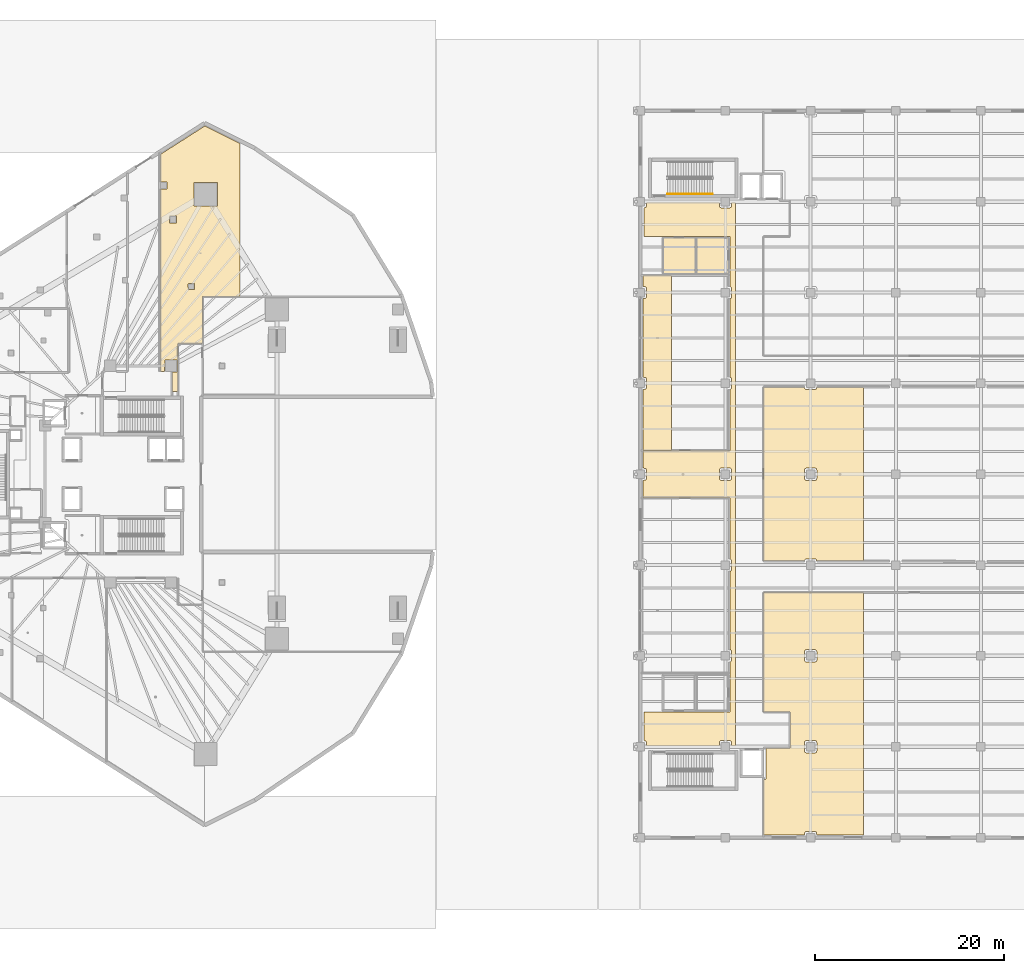
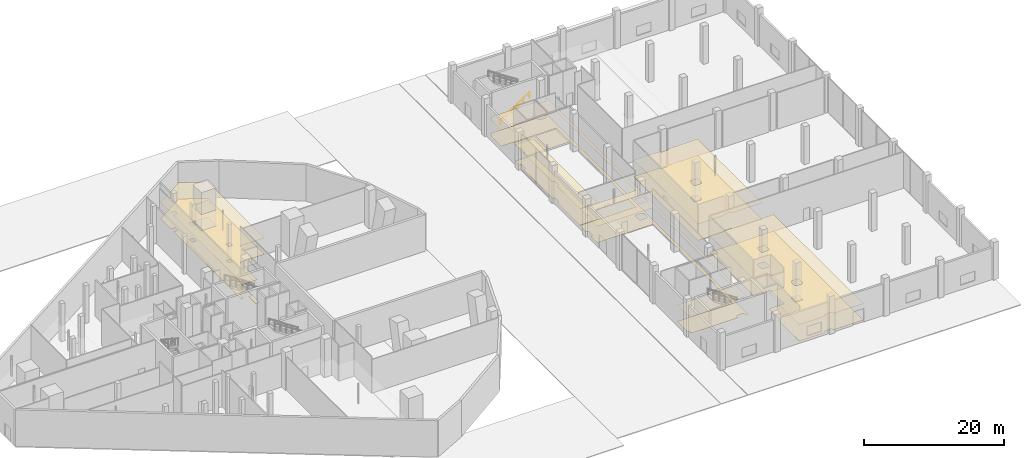
# One storey, part 44 of 45: 12 coverings, 1 railing.
"""IFC4 building model written with IfcOpenShell, lengths in metres."""

from ifc_helpers import new_model, si_unit, direction, frame, origin, origin_2d, place, context, subcontext, project, spatial, polyline, circle, outline, extrude, material, layer, layer_set, type_object, element, save


model = new_model("IFC4")

# Units and contexts
model_context = context("Model", 3, precision=1e-05, world=origin(), true_north=direction((0.0, 1.0)))
body_context = subcontext(model_context, "Body", "Model", "MODEL_VIEW")
ifc_project = project(units=[si_unit("LENGTHUNIT", "METRE"), si_unit("AREAUNIT", "SQUARE_METRE"), si_unit("VOLUMEUNIT", "CUBIC_METRE"), si_unit("PLANEANGLEUNIT", "RADIAN"), si_unit("MASSUNIT", "GRAM", prefix="KILO")], contexts=[model_context])

# Site, building, storey
site_placement = place(None, origin())
site = spatial("IfcSite", under=ifc_project, at=site_placement, CompositionType="ELEMENT")
building_placement = place(site_placement, origin())
building = spatial("IfcBuilding", under=site, at=building_placement, Name="Qorvath Tower", CompositionType="ELEMENT")
storey_placement = place(building_placement, origin())
storey = spatial("IfcBuildingStorey", under=building, at=storey_placement, Name="L00", CompositionType="ELEMENT", Elevation=0.0)

# Coverings
ifc_material_1 = material(Name="Acoustic mineral fibre ceiling tile", Category="gypsum")
ifc_layer_1 = layer(ifc_material_1, 0.030029296875)
ifc_layer_set_1 = layer_set([ifc_layer_1], Name="COV-CEIL")
covering_type_1 = type_object("IfcCoveringType", Name="COV-CEIL", PredefinedType="CEILING", material=ifc_layer_set_1)
covering_1_placement = place(storey_placement, frame((0.0, 0.0, 2.85009765625)))
element("IfcCovering", 1, at=covering_1_placement, inside=storey, type_object=covering_type_1, Name="L00 Suspended Acoustic Ceiling 011", PredefinedType="CEILING", context=body_context, shape_type="SweptSolid", body=[
    extrude(outline(polyline([(-18.294921875, 30.114990234375), (-18.294921875, 10.860595703125), (-17.860107421875, 10.8505859375), (-17.842529296875, 12.092529296875), (-16.5576171875, 12.092529296875), (-16.5400390625, 10.85009765625), (-16.60009765625, 10.7900390625), (-17.0869140625, 10.7900390625), (-17.0869140625, 8.75), (-16.462890625, 8.75), (-16.46142578125, 13.8115234375), (-13.859130859375, 13.81298828125), (-13.861572265625, 18.761474609375), (-9.87646484375, 18.76171875), (-9.87646484375, 34.929931640625), (-13.619873046875, 36.801513671875), (-18.294921875, 33.8134765625), (-18.294921875, 30.885009765625), (-17.632568359375, 30.867431640625), (-17.614990234375, 30.175048828125), (-17.675048828125, 30.114990234375), (-18.294921875, 30.114990234375)]), holes=[polyline([(-14.762451171875, 30.810546875), (-12.277587890625, 30.810546875), (-12.277587890625, 28.32568359375), (-14.762451171875, 28.32568359375), (-14.762451171875, 30.810546875)]), polyline([(-15.381103515625, 20.093017578125), (-15.321044921875, 20.153076171875), (-14.728759765625, 20.135498046875), (-14.728759765625, 19.500732421875), (-15.363525390625, 19.500732421875), (-15.381103515625, 20.093017578125)]), polyline([(-17.3486328125, 27.296630859375), (-16.61376953125, 27.296630859375), (-16.61376953125, 26.561767578125), (-17.3486328125, 26.561767578125), (-17.3486328125, 27.296630859375)])]), origin(), (0.0, 0.0, 1.0), 0.030029296875),
])
covering_2_placement = place(storey_placement, frame((0.0, 0.0, 2.85009765625)))
element("IfcCovering", 2, at=covering_2_placement, inside=storey, type_object=covering_type_1, Name="L00 Suspended Acoustic Ceiling 005", PredefinedType="CEILING", context=body_context, shape_type="SweptSolid", body=[
    extrude(outline(polyline([(42.0546875, -19.65185546875), (41.99609375, -19.793212890625), (41.905029296875, -19.83251953125), (41.903564453125, -25.12353515625), (32.804931640625, -25.125), (32.804931640625, -28.146240234375), (32.99609375, -28.206787109375), (33.054931640625, -28.35009765625), (33.054931640625, -28.699951171875), (40.7451171875, -28.699951171875), (40.7451171875, -28.35009765625), (40.806640625, -28.203857421875), (40.949951171875, -28.14501953125), (41.85009765625, -28.14501953125), (41.993408203125, -28.203857421875), (42.0546875, -28.34814453125), (42.054931640625, -28.699951171875), (42.455078125, -28.69873046875), (42.455078125, 28.70849609375), (42.054931640625, 28.7099609375), (42.0546875, 28.34814453125), (41.993408203125, 28.203857421875), (41.85009765625, 28.14501953125), (40.949951171875, 28.14501953125), (40.806640625, 28.203857421875), (40.7451171875, 28.35009765625), (40.7451171875, 28.7099609375), (33.054931640625, 28.7099609375), (33.054931640625, 28.35009765625), (32.99609375, 28.206787109375), (32.804931640625, 28.146240234375), (32.804931640625, 25.125), (41.905029296875, 25.1201171875), (41.905029296875, 19.83251953125), (41.99609375, 19.793212890625), (42.054931640625, 19.64990234375), (42.054931640625, 18.75), (41.99609375, 18.606689453125), (41.905029296875, 18.5673828125), (41.905029296875, 10.232666015625), (41.99609375, 10.193359375), (42.054931640625, 10.050048828125), (42.054931640625, 9.14990234375), (41.99609375, 9.006591796875), (41.905029296875, 8.96728515625), (41.905029296875, 2.5), (32.68505859375, 2.4951171875), (32.68505859375, 0.655029296875), (32.993408203125, 0.595947265625), (33.0546875, 0.451904296875), (33.054931640625, -0.449951171875), (32.993408203125, -0.595947265625), (32.68505859375, -0.655029296875), (32.68505859375, -2.4951171875), (41.903564453125, -2.49658203125), (41.905029296875, -8.96728515625), (41.99609375, -9.006591796875), (42.054931640625, -9.14990234375), (42.054931640625, -10.050048828125), (41.99609375, -10.193359375), (41.905029296875, -10.232666015625), (41.905029296875, -18.5673828125), (41.99609375, -18.606689453125), (42.054931640625, -18.75), (42.0546875, -19.65185546875)]), holes=[polyline([(40.803955078125, -0.59326171875), (40.7451171875, -0.449951171875), (40.7451171875, 0.449951171875), (40.806640625, 0.595947265625), (40.949951171875, 0.655029296875), (41.85009765625, 0.655029296875), (41.99609375, 0.59326171875), (42.054931640625, 0.449951171875), (42.054931640625, -0.449951171875), (41.993408203125, -0.595947265625), (41.85009765625, -0.655029296875), (40.949951171875, -0.655029296875), (40.803955078125, -0.59326171875)])]), origin(), (0.0, 0.0, 1.0), 0.030029296875),
])
covering_3_placement = place(storey_placement, frame((0.0, 0.0, 2.85009765625)))
element("IfcCovering", 3, at=covering_3_placement, inside=storey, type_object=covering_type_1, Name="L00 Suspended Acoustic Ceiling 006", PredefinedType="CEILING", context=body_context, shape_type="SweptSolid", body=[
    extrude(outline(polyline([(33.0546875, 9.148193359375), (32.993408203125, 9.00390625), (32.68505859375, 8.945068359375), (32.68505859375, 2.512939453125), (35.7216796875, 2.512939453125), (35.7216796875, 20.9951171875), (32.68505859375, 20.9951171875), (32.68505859375, 19.85498046875), (32.993408203125, 19.796142578125), (33.0546875, 19.65185546875), (33.054931640625, 18.75), (32.993408203125, 18.60400390625), (32.68505859375, 18.544921875), (32.68505859375, 10.2548828125), (32.993408203125, 10.196044921875), (33.0546875, 10.052001953125), (33.0546875, 9.148193359375)])), origin(), (0.0, 0.0, 1.0), 0.030029296875),
])
covering_4_placement = place(storey_placement, frame((0.0, 0.0, 2.85009765625)))
element("IfcCovering", 4, at=covering_4_placement, inside=storey, type_object=covering_type_1, Name="L00 Suspended Acoustic Ceiling 008", PredefinedType="CEILING", context=body_context, shape_type="SweptSolid", body=[
    extrude(outline(polyline([(55.97509765625, -38.114990234375), (55.97509765625, -12.51025390625), (45.4130859375, -12.512939453125), (45.4130859375, -25.10693359375), (48.21142578125, -25.1083984375), (48.212890625, -28.907958984375), (45.69873046875, -28.9130859375), (45.7099609375, -32.06005859375), (45.63671875, -32.23681640625), (45.405029296875, -32.31005859375), (45.405029296875, -38.114990234375), (49.7451171875, -38.114990234375), (49.803955078125, -37.806640625), (49.947998046875, -37.745361328125), (50.85009765625, -37.7451171875), (50.99609375, -37.806640625), (51.054931640625, -38.114990234375), (55.97509765625, -38.114990234375)]), holes=[polyline([(50.99609375, -28.206787109375), (51.054931640625, -28.35009765625), (51.054931640625, -29.25), (50.993408203125, -29.39599609375), (50.85009765625, -29.455078125), (49.949951171875, -29.455078125), (49.803955078125, -29.393310546875), (49.7451171875, -29.25), (49.7451171875, -28.35009765625), (49.806640625, -28.203857421875), (49.949951171875, -28.14501953125), (50.85009765625, -28.14501953125), (50.99609375, -28.206787109375)]), polyline([(50.99609375, -18.606689453125), (51.054931640625, -18.75), (51.054931640625, -19.64990234375), (50.993408203125, -19.796142578125), (50.85009765625, -19.85498046875), (49.949951171875, -19.85498046875), (49.803955078125, -19.793212890625), (49.7451171875, -19.64990234375), (49.7451171875, -18.75), (49.806640625, -18.60400390625), (49.949951171875, -18.544921875), (50.85009765625, -18.544921875), (50.99609375, -18.606689453125)])]), origin(), (0.0, 0.0, 1.0), 0.030029296875),
])
covering_5_placement = place(storey_placement, frame((0.0, 0.0, 2.85009765625)))
element("IfcCovering", 5, at=covering_5_placement, inside=storey, type_object=covering_type_1, Name="L00 Suspended Acoustic Ceiling 009", PredefinedType="CEILING", context=body_context, shape_type="SweptSolid", body=[
    extrude(outline(polyline([(55.980224609375, -9.18701171875), (55.980224609375, 9.18701171875), (51.0537109375, 9.18701171875), (50.99609375, 9.007080078125), (50.851806640625, 8.9453125), (49.949951171875, 8.945068359375), (49.8037109375, 9.007080078125), (49.746337890625, 9.18701171875), (45.4130859375, 9.18701171875), (45.4130859375, -9.18701171875), (49.746337890625, -9.18701171875), (49.8037109375, -9.007080078125), (49.949951171875, -8.945068359375), (50.851806640625, -8.9453125), (50.99609375, -9.007080078125), (51.0537109375, -9.18701171875), (55.980224609375, -9.18701171875)]), holes=[polyline([(50.851806640625, 0.654541015625), (50.99609375, 0.59326171875), (51.054931640625, 0.449951171875), (51.054931640625, -0.449951171875), (50.99609375, -0.59326171875), (50.85009765625, -0.655029296875), (49.949951171875, -0.655029296875), (49.806640625, -0.595947265625), (49.7451171875, -0.449951171875), (49.7451171875, 0.449951171875), (49.803955078125, 0.59326171875), (49.949951171875, 0.655029296875), (50.851806640625, 0.654541015625)])]), origin(), (0.0, 0.0, 1.0), 0.030029296875),
])
ifc_material_2 = material(Name="Polished epoxy terrazzo flooring", Category="concrete")
ifc_layer_2 = layer(ifc_material_2, 0.02001953125)
ifc_layer_set_2 = layer_set([ifc_layer_2], Name="COV-FLOOR-TRZ")
covering_type_2 = type_object("IfcCoveringType", Name="COV-FLOOR-TRZ", PredefinedType="FLOORING", material=ifc_layer_set_2)
covering_6_placement = place(storey_placement, origin())
element("IfcCovering", 6, at=covering_6_placement, inside=storey, type_object=covering_type_2, Name="L00 Floor Finish 011", PredefinedType="FLOORING", context=body_context, shape_type="SweptSolid", body=[
    extrude(outline(polyline([(-18.294921875, 30.114990234375), (-18.294921875, 10.860595703125), (-17.860107421875, 10.8505859375), (-17.842529296875, 12.092529296875), (-16.5576171875, 12.092529296875), (-16.5400390625, 10.85009765625), (-16.60009765625, 10.7900390625), (-17.0869140625, 10.7900390625), (-17.0869140625, 8.75), (-16.462890625, 8.75), (-16.46142578125, 13.8115234375), (-13.859130859375, 13.81298828125), (-13.861572265625, 18.761474609375), (-9.87646484375, 18.76171875), (-9.87646484375, 34.929931640625), (-13.619873046875, 36.801513671875), (-18.294921875, 33.8134765625), (-18.294921875, 30.885009765625), (-17.632568359375, 30.867431640625), (-17.614990234375, 30.175048828125), (-17.675048828125, 30.114990234375), (-18.294921875, 30.114990234375)]), holes=[polyline([(-14.762451171875, 30.810546875), (-12.277587890625, 30.810546875), (-12.277587890625, 28.32568359375), (-14.762451171875, 28.32568359375), (-14.762451171875, 30.810546875)]), polyline([(-15.381103515625, 20.093017578125), (-15.321044921875, 20.153076171875), (-14.728759765625, 20.135498046875), (-14.728759765625, 19.500732421875), (-15.363525390625, 19.500732421875), (-15.381103515625, 20.093017578125)]), polyline([(-17.3486328125, 27.296630859375), (-16.61376953125, 27.296630859375), (-16.61376953125, 26.561767578125), (-17.3486328125, 26.561767578125), (-17.3486328125, 27.296630859375)])]), origin(), (0.0, 0.0, 1.0), 0.014892578125),
])
covering_7_placement = place(storey_placement, origin())
element("IfcCovering", 7, at=covering_7_placement, inside=storey, type_object=covering_type_2, Name="L00 Floor Finish 001", PredefinedType="FLOORING", context=body_context, shape_type="SweptSolid", body=[
    extrude(outline(polyline([(38.195068359375, 24.9951171875), (34.804931640625, 24.9951171875), (34.804931640625, 21.205078125), (38.195068359375, 21.205078125), (38.195068359375, 24.9951171875)])), origin(), (0.0, 0.0, 1.0), 0.014892578125),
])
covering_8_placement = place(storey_placement, origin())
element("IfcCovering", 8, at=covering_8_placement, inside=storey, type_object=covering_type_2, Name="L00 Floor Finish 002", PredefinedType="FLOORING", context=body_context, shape_type="SweptSolid", body=[
    extrude(outline(polyline([(41.695068359375, 24.9951171875), (38.35498046875, 24.9951171875), (38.35498046875, 21.205078125), (41.695068359375, 21.205078125), (41.695068359375, 24.9951171875)])), origin(), (0.0, 0.0, 1.0), 0.014892578125),
])
covering_9_placement = place(storey_placement, origin())
element("IfcCovering", 9, at=covering_9_placement, inside=storey, type_object=covering_type_2, Name="L00 Floor Finish 005", PredefinedType="FLOORING", context=body_context, shape_type="SweptSolid", body=[
    extrude(outline(polyline([(42.0546875, -19.65185546875), (41.99609375, -19.793212890625), (41.905029296875, -19.83251953125), (41.903564453125, -25.12353515625), (32.804931640625, -25.125), (32.804931640625, -28.146240234375), (32.99609375, -28.206787109375), (33.054931640625, -28.35009765625), (33.054931640625, -28.699951171875), (40.7451171875, -28.699951171875), (40.7451171875, -28.35009765625), (40.806640625, -28.203857421875), (40.949951171875, -28.14501953125), (41.85009765625, -28.14501953125), (41.993408203125, -28.203857421875), (42.0546875, -28.34814453125), (42.054931640625, -28.699951171875), (42.455078125, -28.69873046875), (42.455078125, 28.70849609375), (42.054931640625, 28.7099609375), (42.0546875, 28.34814453125), (41.993408203125, 28.203857421875), (41.85009765625, 28.14501953125), (40.949951171875, 28.14501953125), (40.806640625, 28.203857421875), (40.7451171875, 28.35009765625), (40.7451171875, 28.7099609375), (33.054931640625, 28.7099609375), (33.054931640625, 28.35009765625), (32.99609375, 28.206787109375), (32.804931640625, 28.146240234375), (32.804931640625, 25.125), (41.905029296875, 25.1201171875), (41.905029296875, 19.83251953125), (41.99609375, 19.793212890625), (42.054931640625, 19.64990234375), (42.054931640625, 18.75), (41.99609375, 18.606689453125), (41.905029296875, 18.5673828125), (41.905029296875, 10.232666015625), (41.99609375, 10.193359375), (42.054931640625, 10.050048828125), (42.054931640625, 9.14990234375), (41.99609375, 9.006591796875), (41.905029296875, 8.96728515625), (41.905029296875, 2.5), (32.68505859375, 2.4951171875), (32.68505859375, 0.655029296875), (32.993408203125, 0.595947265625), (33.0546875, 0.451904296875), (33.054931640625, -0.449951171875), (32.993408203125, -0.595947265625), (32.68505859375, -0.655029296875), (32.68505859375, -2.4951171875), (41.903564453125, -2.49658203125), (41.905029296875, -8.96728515625), (41.99609375, -9.006591796875), (42.054931640625, -9.14990234375), (42.054931640625, -10.050048828125), (41.99609375, -10.193359375), (41.905029296875, -10.232666015625), (41.905029296875, -18.5673828125), (41.99609375, -18.606689453125), (42.054931640625, -18.75), (42.0546875, -19.65185546875)]), holes=[polyline([(40.803955078125, -0.59326171875), (40.7451171875, -0.449951171875), (40.7451171875, 0.449951171875), (40.806640625, 0.595947265625), (40.949951171875, 0.655029296875), (41.85009765625, 0.655029296875), (41.99609375, 0.59326171875), (42.054931640625, 0.449951171875), (42.054931640625, -0.449951171875), (41.993408203125, -0.595947265625), (41.85009765625, -0.655029296875), (40.949951171875, -0.655029296875), (40.803955078125, -0.59326171875)])]), origin(), (0.0, 0.0, 1.0), 0.014892578125),
])
covering_10_placement = place(storey_placement, origin())
element("IfcCovering", 10, at=covering_10_placement, inside=storey, type_object=covering_type_2, Name="L00 Floor Finish 006", PredefinedType="FLOORING", context=body_context, shape_type="SweptSolid", body=[
    extrude(outline(polyline([(33.0546875, 9.148193359375), (32.993408203125, 9.00390625), (32.68505859375, 8.945068359375), (32.68505859375, 2.512939453125), (35.7216796875, 2.512939453125), (35.7216796875, 20.9951171875), (32.68505859375, 20.9951171875), (32.68505859375, 19.85498046875), (32.993408203125, 19.796142578125), (33.0546875, 19.65185546875), (33.054931640625, 18.75), (32.993408203125, 18.60400390625), (32.68505859375, 18.544921875), (32.68505859375, 10.2548828125), (32.993408203125, 10.196044921875), (33.0546875, 10.052001953125), (33.0546875, 9.148193359375)])), origin(), (0.0, 0.0, 1.0), 0.014892578125),
])
covering_11_placement = place(storey_placement, origin())
element("IfcCovering", 11, at=covering_11_placement, inside=storey, type_object=covering_type_2, Name="L00 Floor Finish 008", PredefinedType="FLOORING", context=body_context, shape_type="SweptSolid", body=[
    extrude(outline(polyline([(55.97509765625, -38.114990234375), (55.97509765625, -12.51025390625), (45.4130859375, -12.512939453125), (45.4130859375, -25.10693359375), (48.21142578125, -25.1083984375), (48.212890625, -28.907958984375), (45.69873046875, -28.9130859375), (45.7099609375, -32.06005859375), (45.63671875, -32.23681640625), (45.405029296875, -32.31005859375), (45.405029296875, -38.114990234375), (49.7451171875, -38.114990234375), (49.803955078125, -37.806640625), (49.947998046875, -37.745361328125), (50.85009765625, -37.7451171875), (50.99609375, -37.806640625), (51.054931640625, -38.114990234375), (55.97509765625, -38.114990234375)]), holes=[polyline([(50.99609375, -28.206787109375), (51.054931640625, -28.35009765625), (51.054931640625, -29.25), (50.993408203125, -29.39599609375), (50.85009765625, -29.455078125), (49.949951171875, -29.455078125), (49.803955078125, -29.393310546875), (49.7451171875, -29.25), (49.7451171875, -28.35009765625), (49.806640625, -28.203857421875), (49.949951171875, -28.14501953125), (50.85009765625, -28.14501953125), (50.99609375, -28.206787109375)]), polyline([(50.99609375, -18.606689453125), (51.054931640625, -18.75), (51.054931640625, -19.64990234375), (50.993408203125, -19.796142578125), (50.85009765625, -19.85498046875), (49.949951171875, -19.85498046875), (49.803955078125, -19.793212890625), (49.7451171875, -19.64990234375), (49.7451171875, -18.75), (49.806640625, -18.60400390625), (49.949951171875, -18.544921875), (50.85009765625, -18.544921875), (50.99609375, -18.606689453125)])]), origin(), (0.0, 0.0, 1.0), 0.014892578125),
])
covering_12_placement = place(storey_placement, origin())
element("IfcCovering", 12, at=covering_12_placement, inside=storey, type_object=covering_type_2, Name="L00 Floor Finish 009", PredefinedType="FLOORING", context=body_context, shape_type="SweptSolid", body=[
    extrude(outline(polyline([(55.980224609375, -9.18701171875), (55.980224609375, 9.18701171875), (51.0537109375, 9.18701171875), (50.99609375, 9.007080078125), (50.851806640625, 8.9453125), (49.949951171875, 8.945068359375), (49.8037109375, 9.007080078125), (49.746337890625, 9.18701171875), (45.4130859375, 9.18701171875), (45.4130859375, -9.18701171875), (49.746337890625, -9.18701171875), (49.8037109375, -9.007080078125), (49.949951171875, -8.945068359375), (50.851806640625, -8.9453125), (50.99609375, -9.007080078125), (51.0537109375, -9.18701171875), (55.980224609375, -9.18701171875)]), holes=[polyline([(50.851806640625, 0.654541015625), (50.99609375, 0.59326171875), (51.054931640625, 0.449951171875), (51.054931640625, -0.449951171875), (50.99609375, -0.59326171875), (50.85009765625, -0.655029296875), (49.949951171875, -0.655029296875), (49.806640625, -0.595947265625), (49.7451171875, -0.449951171875), (49.7451171875, 0.449951171875), (49.803955078125, 0.59326171875), (49.949951171875, 0.655029296875), (50.851806640625, 0.654541015625)])]), origin(), (0.0, 0.0, 1.0), 0.014892578125),
])

# Railing
ifc_material_3 = material(Name="Brushed stainless steel AISI 304", Category="steel")
railing_type = type_object("IfcRailingType", Name="RL-STR-HND", PredefinedType="HANDRAIL", material=ifc_material_3)
railing_placement = place(storey_placement, frame((35.280029296875, 29.60009765625, 0.183349609375)))
element("IfcRailing", 13, at=railing_placement, inside=storey, type_object=railing_type, Name="L00 LS1 stair handrail 1", PredefinedType="HANDRAIL", context=body_context, shape_type="SweptSolid", body=[
    extrude(circle(Radius=0.02392578125, at=origin_2d()), frame((0.0, 0.0, 0.8759765625), z_axis=(0.836616421643, 0.0, 0.547789159291), x_axis=(0.0, 1.0, 0.0)), (0.0, 0.0, 1.0), 5.689697265625),
    extrude(circle(Radius=0.02099609375, at=origin_2d()), origin(), (0.0, 0.0, 1.0), 0.851806640625),
    extrude(circle(Radius=0.02099609375, at=origin_2d()), frame((0.951904296875, 0.0, 0.623291015625)), (0.0, 0.0, 1.0), 0.851806640625),
    extrude(circle(Radius=0.02099609375, at=origin_2d()), frame((1.904052734375, 0.0, 1.24658203125)), (0.0, 0.0, 1.0), 0.851806640625),
    extrude(circle(Radius=0.02099609375, at=origin_2d()), frame((2.85595703125, 0.0, 1.8701171875)), (0.0, 0.0, 1.0), 0.851806640625),
    extrude(circle(Radius=0.02099609375, at=origin_2d()), frame((3.80810546875, 0.0, 2.493408203125)), (0.0, 0.0, 1.0), 0.851806640625),
    extrude(circle(Radius=0.02099609375, at=origin_2d()), frame((4.760009765625, 0.0, 3.11669921875)), (0.0, 0.0, 1.0), 0.851806640625),
])

save(model, "model.ifc")
